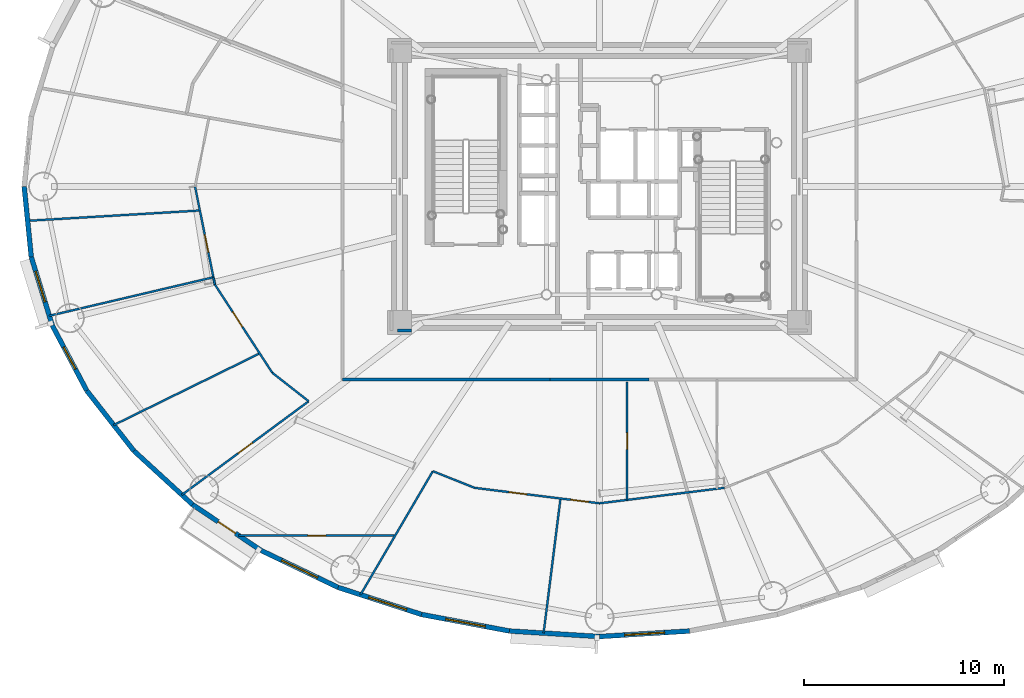
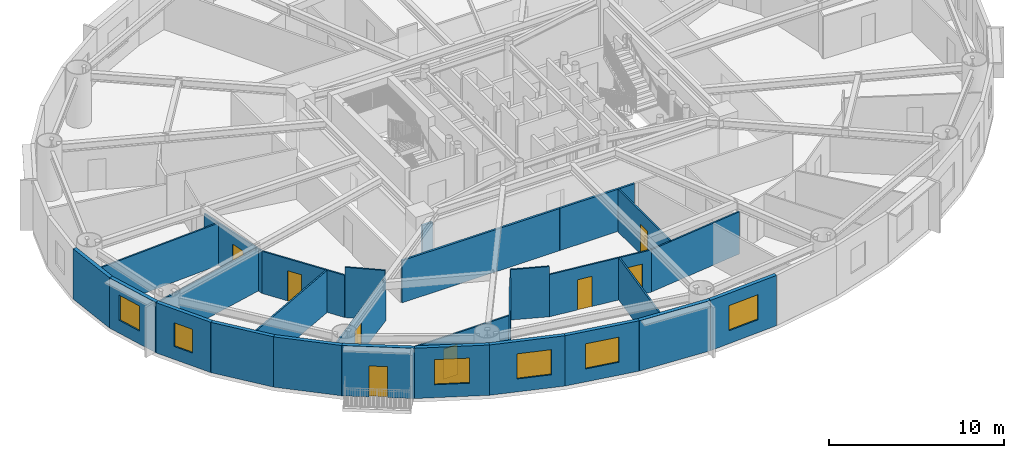
# One storey, part 11 of 22: 29 walls, 8 doors, 6 windows, 14 openings.
"""IFC4 building model written with IfcOpenShell, lengths in metres."""

from ifc_helpers import new_model, si_unit, direction, frame, frame_2d, origin, origin_2d, place, context, subcontext, project, spatial, rectangle, extrude, source, transform, mapped, material, layer, layer_set, type_object, element, fill, save


model = new_model("IFC4")

# Units and contexts
model_context = context("Model", 3, precision=1e-05, world=origin(), true_north=direction((0.0, 1.0)))
body_context = subcontext(model_context, "Body", "Model", "MODEL_VIEW")
ifc_project = project(units=[si_unit("LENGTHUNIT", "METRE"), si_unit("AREAUNIT", "SQUARE_METRE"), si_unit("VOLUMEUNIT", "CUBIC_METRE"), si_unit("PLANEANGLEUNIT", "RADIAN"), si_unit("MASSUNIT", "GRAM", prefix="KILO")], contexts=[model_context])

# Site, building, storey
site_placement = place(None, origin())
site = spatial("IfcSite", under=ifc_project, at=site_placement, CompositionType="ELEMENT")
building_placement = place(site_placement, origin())
building = spatial("IfcBuilding", under=site, at=building_placement, Name="Linh Dai School and Residence Tower", CompositionType="ELEMENT")
storey_placement = place(building_placement, frame((0.0, 0.0, 130.949951171875)))
storey = spatial("IfcBuildingStorey", under=building, at=storey_placement, Name="L31", CompositionType="ELEMENT", Elevation=130.949951171875)

# Wall
ifc_material_1 = material(Name="Precast Concrete B45 (C35/45)", Category="concrete")
ifc_layer_1 = layer(ifc_material_1, 0.239990234375)
ifc_layer_set_1 = layer_set([ifc_layer_1], Name="Precast Concrete B45 (C35/45)")
wall_type_1 = type_object("IfcWallType", Name="EW-TC-240", PredefinedType="SOLIDWALL", material=ifc_layer_set_1)
wall_1_placement = place(storey_placement, frame((7.578369140625, 23.484619140625, 0.0), z_axis=(0.0, 0.0, 1.0), x_axis=(-0.099989468229, 0.994988495533, 0.0)))
element("IfcWall", 1, at=wall_1_placement, inside=storey, type_object=wall_type_1, Name="L31 Terracotta Exterior Wall 21", PredefinedType="SOLIDWALL", context=body_context, shape_type="SweptSolid", body=[
    extrude(rectangle(XDim=3.533203125, YDim=0.239990234375, at=frame_2d((1.7666015625, 0.0))), origin(), (0.0, 0.0, 1.0), 3.5),
])

# Wall, opening, window
wall_2_placement = place(storey_placement, frame((8.6298828125, 20.054931640625, 0.0), z_axis=(0.0, 0.0, 1.0), x_axis=(-0.293124431344, 0.956074300329, 0.0)))
wall_2 = element("IfcWall", 2, at=wall_2_placement, inside=storey, type_object=wall_type_1, Name="L31 Terracotta Exterior Wall 22", PredefinedType="SOLIDWALL", context=body_context, shape_type="SweptSolid", body=[
    extrude(rectangle(XDim=3.587158203125, YDim=0.239990234375, at=frame_2d((1.79345703125, 0.0))), origin(), (0.0, 0.0, 1.0), 3.5),
])
opening_1_placement = place(wall_2_placement, frame((1.23583984375, 0.0, 0.89990234375)))
opening_1 = element("IfcOpeningElement", 3, at=opening_1_placement, cuts=wall_2, Name="Opening W2", PredefinedType="OPENING", context=body_context, shape_type="SweptSolid", body=[
    extrude(rectangle(XDim=1.60009765625, YDim=1.75, at=origin_2d()), frame((0.800048828125, 0.1298828125, 0.875), z_axis=(0.0, -1.0, 0.0), x_axis=(1.0, 0.0, 0.0)), (0.0, 0.0, 1.0), 0.260009765625),
])
ifc_material_2 = material(Name="Double Low-E Insulated Glazing", Category="glass")
window_type_1 = type_object("IfcWindowType", Name="WN-RES-1600x1750", PartitioningType="DOUBLE_PANEL_VERTICAL", PredefinedType="WINDOW", material=ifc_material_2)
shared_shape_1 = source(origin(), body_context, "Body", "SweptSolid", [
    extrude(rectangle(XDim=1.60009765625, YDim=1.75, at=origin_2d()), frame((0.800048828125, 0.030029296875, 0.875), z_axis=(0.0, -1.0, 0.0), x_axis=(1.0, 0.0, 0.0)), (0.0, 0.0, 1.0), 0.06005859375),
])
window_1_placement = place(opening_1_placement, origin())
window_1 = element("IfcWindow", 4, at=window_1_placement, inside=storey, type_object=window_type_1, Name="L31 Exterior Window 22.1", OverallHeight=1.75, OverallWidth=1.60009765625, PartitioningType="DOUBLE_PANEL_VERTICAL", PredefinedType="WINDOW", context=body_context, shape_type="MappedRepresentation", body=[
    mapped(shared_shape_1, transform((0.0, 0.0, 0.0), x_axis=(1.0, 0.0, 0.0), y_axis=(0.0, 1.0, 0.0), z_axis=(0.0, 0.0, 1.0), scale=1.0)),
])
fill(opening_1, window_1)

wall_3_placement = place(storey_placement, frame((10.354736328125, 16.79443359375, 0.0), z_axis=(0.0, 0.0, 1.0), x_axis=(-0.467614004126, 0.883932770716, 0.0)))
wall_3 = element("IfcWall", 5, at=wall_3_placement, inside=storey, type_object=wall_type_1, Name="L31 Terracotta Exterior Wall 23", PredefinedType="SOLIDWALL", context=body_context, shape_type="SweptSolid", body=[
    extrude(rectangle(XDim=3.688720703125, YDim=0.239990234375, at=frame_2d((1.84423828125, 0.0))), origin(), (0.0, 0.0, 1.0), 3.5),
])
opening_2_placement = place(wall_3_placement, frame((1.21923828125, 0.0, 0.89990234375)))
opening_2 = element("IfcOpeningElement", 6, at=opening_2_placement, cuts=wall_3, Name="Opening W3", PredefinedType="OPENING", context=body_context, shape_type="SweptSolid", body=[
    extrude(rectangle(XDim=1.25, YDim=1.64990234375, at=origin_2d()), frame((0.625, 0.1298828125, 0.824951171875), z_axis=(0.0, -1.0, 0.0), x_axis=(1.0, 0.0, 0.0)), (0.0, 0.0, 1.0), 0.260009765625),
])
window_type_2 = type_object("IfcWindowType", Name="WN-RES-1250x1650", PartitioningType="SINGLE_PANEL", PredefinedType="WINDOW", material=ifc_material_2)
shared_shape_2 = source(origin(), body_context, "Body", "SweptSolid", [
    extrude(rectangle(XDim=1.25, YDim=1.64990234375, at=origin_2d()), frame((0.625, 0.030029296875, 0.824951171875), z_axis=(0.0, -1.0, 0.0), x_axis=(1.0, 0.0, 0.0)), (0.0, 0.0, 1.0), 0.06005859375),
])
window_2_placement = place(opening_2_placement, origin())
window_2 = element("IfcWindow", 7, at=window_2_placement, inside=storey, type_object=window_type_2, Name="L31 Dwelling Window U3101-BD2", OverallHeight=1.64990234375, OverallWidth=1.25, PartitioningType="SINGLE_PANEL", PredefinedType="WINDOW", context=body_context, shape_type="MappedRepresentation", body=[
    mapped(shared_shape_2, transform((0.0, 0.0, 0.0), x_axis=(1.0, 0.0, 0.0), y_axis=(0.0, 1.0, 0.0), z_axis=(0.0, 0.0, 1.0), scale=1.0)),
])
fill(opening_2, window_2)

# Walls
wall_4_placement = place(storey_placement, frame((12.7109375, 13.783447265625, 0.0), z_axis=(0.0, 0.0, 1.0), x_axis=(-0.616272103517, 0.787533297345, 0.0)))
element("IfcWall", 8, at=wall_4_placement, inside=storey, type_object=wall_type_1, Name="L31 Terracotta Exterior Wall 24", PredefinedType="SOLIDWALL", context=body_context, shape_type="SweptSolid", body=[
    extrude(rectangle(XDim=3.8232421875, YDim=0.239990234375, at=frame_2d((1.91162109375, 0.0))), origin(), (0.0, 0.0, 1.0), 3.5),
])
wall_5_placement = place(storey_placement, frame((15.6416015625, 11.0966796875, 0.0), z_axis=(0.0, 0.0, 1.0), x_axis=(-0.737113356241, 0.675769117414, 0.0)))
element("IfcWall", 9, at=wall_5_placement, inside=storey, type_object=wall_type_1, Name="L31 Terracotta Exterior Wall 25", PredefinedType="SOLIDWALL", context=body_context, shape_type="SweptSolid", body=[
    extrude(rectangle(XDim=3.975830078125, YDim=0.239990234375, at=frame_2d((1.98779296875, 0.0))), origin(), (0.0, 0.0, 1.0), 3.5),
])

# Wall, opening, door
wall_6_placement = place(storey_placement, frame((19.07470703125, 8.800537109375, 0.0), z_axis=(0.0, 0.0, 1.0), x_axis=(-0.831221811447, 0.555940914284, 0.0)))
wall_6 = element("IfcWall", 10, at=wall_6_placement, inside=storey, type_object=wall_type_1, Name="L31 Terracotta Exterior Wall 26", PredefinedType="SOLIDWALL", context=body_context, shape_type="SweptSolid", body=[
    extrude(rectangle(XDim=4.130126953125, YDim=0.239990234375, at=frame_2d((2.06494140625, 0.0))), origin(), (0.0, 0.0, 1.0), 3.5),
])
opening_3_placement = place(wall_6_placement, frame((1.5400390625, 0.0, 0.0)))
opening_3 = element("IfcOpeningElement", 11, at=opening_3_placement, cuts=wall_6, Name="Opening BD1", PredefinedType="OPENING", context=body_context, shape_type="SweptSolid", body=[
    extrude(rectangle(XDim=1.050048828125, YDim=2.14990234375, at=origin_2d()), frame((0.52490234375, 0.1298828125, 1.074951171875), z_axis=(0.0, -1.0, 0.0), x_axis=(1.0, 0.0, 0.0)), (0.0, 0.0, 1.0), 0.260009765625),
])
ifc_material_3 = material(Name="Double-Glazed Balcony Door", Category="glass")
door_type_1 = type_object("IfcDoorType", Name="DR-BALC-1050x2150", OperationType="NOTDEFINED", PredefinedType="DOOR", material=ifc_material_3)
shared_shape_3 = source(origin(), body_context, "Body", "SweptSolid", [
    extrude(rectangle(XDim=1.050048828125, YDim=2.14990234375, at=origin_2d()), frame((0.52490234375, 0.02490234375, 1.074951171875), z_axis=(0.0, -1.0, 0.0), x_axis=(1.0, 0.0, 0.0)), (0.0, 0.0, 1.0), 0.050048828125),
])
door_1_placement = place(opening_3_placement, origin())
door_1 = element("IfcDoor", 12, at=door_1_placement, inside=storey, type_object=door_type_1, Name="L31 Glazed Balcony Door 26", OperationType="SINGLE_SWING_LEFT", OverallHeight=2.14990234375, OverallWidth=1.050048828125, PredefinedType="DOOR", context=body_context, shape_type="MappedRepresentation", body=[
    mapped(shared_shape_3, transform((0.0, 0.0, 0.0), x_axis=(1.0, 0.0, 0.0), y_axis=(0.0, 1.0, 0.0), z_axis=(0.0, 0.0, 1.0), scale=1.0)),
])
fill(opening_3, door_1)

# Wall, opening, window
wall_7_placement = place(storey_placement, frame((22.926025390625, 6.95263671875, 0.0), z_axis=(0.0, 0.0, 1.0), x_axis=(-0.901589935876, 0.432591709962, 0.0)))
wall_7 = element("IfcWall", 13, at=wall_7_placement, inside=storey, type_object=wall_type_1, Name="L31 Terracotta Exterior Wall 27", PredefinedType="SOLIDWALL", context=body_context, shape_type="SweptSolid", body=[
    extrude(rectangle(XDim=4.271728515625, YDim=0.239990234375, at=frame_2d((2.1357421875, 0.0))), origin(), (0.0, 0.0, 1.0), 3.5),
])
opening_4_placement = place(wall_7_placement, frame((1.1357421875, 0.0, 0.89990234375)))
opening_4 = element("IfcOpeningElement", 14, at=opening_4_placement, cuts=wall_7, Name="Opening W1", PredefinedType="OPENING", context=body_context, shape_type="SweptSolid", body=[
    extrude(rectangle(XDim=2.0, YDim=1.75, at=origin_2d()), frame((1.0, 0.1298828125, 0.875), z_axis=(0.0, -1.0, 0.0), x_axis=(1.0, 0.0, 0.0)), (0.0, 0.0, 1.0), 0.260009765625),
])
window_type_3 = type_object("IfcWindowType", Name="WN-RES-2000x1750", PartitioningType="DOUBLE_PANEL_VERTICAL", PredefinedType="WINDOW", material=ifc_material_2)
shared_shape_4 = source(origin(), body_context, "Body", "SweptSolid", [
    extrude(rectangle(XDim=2.0, YDim=1.75, at=origin_2d()), frame((1.0, 0.030029296875, 0.875), z_axis=(0.0, -1.0, 0.0), x_axis=(1.0, 0.0, 0.0)), (0.0, 0.0, 1.0), 0.06005859375),
])
window_3_placement = place(opening_4_placement, origin())
window_3 = element("IfcWindow", 15, at=window_3_placement, inside=storey, type_object=window_type_3, Name="L31 Exterior Window 27.1", OverallHeight=1.75, OverallWidth=2.0, PartitioningType="DOUBLE_PANEL_VERTICAL", PredefinedType="WINDOW", context=body_context, shape_type="MappedRepresentation", body=[
    mapped(shared_shape_4, transform((0.0, 0.0, 0.0), x_axis=(1.0, 0.0, 0.0), y_axis=(0.0, 1.0, 0.0), z_axis=(0.0, 0.0, 1.0), scale=1.0)),
])
fill(opening_4, window_3)

wall_8_placement = place(storey_placement, frame((27.100341796875, 5.5986328125, 0.0), z_axis=(0.0, 0.0, 1.0), x_axis=(-0.951211346073, 0.308540070495, 0.0)))
wall_8 = element("IfcWall", 16, at=wall_8_placement, inside=storey, type_object=wall_type_1, Name="L31 Terracotta Exterior Wall 28", PredefinedType="SOLIDWALL", context=body_context, shape_type="SweptSolid", body=[
    extrude(rectangle(XDim=4.388427734375, YDim=0.239990234375, at=frame_2d((2.1943359375, 0.0))), origin(), (0.0, 0.0, 1.0), 3.5),
])
opening_5_placement = place(wall_8_placement, frame((0.784912109375, 0.0, 0.89990234375)))
opening_5 = element("IfcOpeningElement", 17, at=opening_5_placement, cuts=wall_8, Name="Opening W1", PredefinedType="OPENING", context=body_context, shape_type="SweptSolid", body=[
    extrude(rectangle(XDim=2.0, YDim=1.75, at=origin_2d()), frame((1.0, 0.1298828125, 0.875), z_axis=(0.0, -1.0, 0.0), x_axis=(1.0, 0.0, 0.0)), (0.0, 0.0, 1.0), 0.260009765625),
])
window_4_placement = place(opening_5_placement, origin())
window_4 = element("IfcWindow", 18, at=window_4_placement, inside=storey, type_object=window_type_3, Name="L31 Exterior Window 28.1", OverallHeight=1.75, OverallWidth=2.0, PartitioningType="DOUBLE_PANEL_VERTICAL", PredefinedType="WINDOW", context=body_context, shape_type="MappedRepresentation", body=[
    mapped(shared_shape_4, transform((0.0, 0.0, 0.0), x_axis=(1.0, 0.0, 0.0), y_axis=(0.0, 1.0, 0.0), z_axis=(0.0, 0.0, 1.0), scale=1.0)),
])
fill(opening_5, window_4)

wall_9_placement = place(storey_placement, frame((31.494384765625, 4.772705078125, 0.0), z_axis=(0.0, 0.0, 1.0), x_axis=(-0.982789252177, 0.184730305596, 0.0)))
wall_9 = element("IfcWall", 19, at=wall_9_placement, inside=storey, type_object=wall_type_1, Name="L31 Terracotta Exterior Wall 29", PredefinedType="SOLIDWALL", context=body_context, shape_type="SweptSolid", body=[
    extrude(rectangle(XDim=4.470947265625, YDim=0.239990234375, at=frame_2d((2.2353515625, 0.0))), origin(), (0.0, 0.0, 1.0), 3.5),
])
opening_6_placement = place(wall_9_placement, frame((1.235595703125, 0.0, 0.89990234375)))
opening_6 = element("IfcOpeningElement", 20, at=opening_6_placement, cuts=wall_9, Name="Opening W1", PredefinedType="OPENING", context=body_context, shape_type="SweptSolid", body=[
    extrude(rectangle(XDim=2.0, YDim=1.75, at=origin_2d()), frame((1.0, 0.1298828125, 0.875), z_axis=(0.0, -1.0, 0.0), x_axis=(1.0, 0.0, 0.0)), (0.0, 0.0, 1.0), 0.260009765625),
])
window_5_placement = place(opening_6_placement, origin())
window_5 = element("IfcWindow", 21, at=window_5_placement, inside=storey, type_object=window_type_3, Name="L31 Exterior Window 29.1", OverallHeight=1.75, OverallWidth=2.0, PartitioningType="DOUBLE_PANEL_VERTICAL", PredefinedType="WINDOW", context=body_context, shape_type="MappedRepresentation", body=[
    mapped(shared_shape_4, transform((0.0, 0.0, 0.0), x_axis=(1.0, 0.0, 0.0), y_axis=(0.0, 1.0, 0.0), z_axis=(0.0, 0.0, 1.0), scale=1.0)),
])
fill(opening_6, window_5)

# Wall
wall_10_placement = place(storey_placement, frame((36.0, 4.4951171875, 0.0), z_axis=(0.0, 0.0, 1.0), x_axis=(-0.998107531589, 0.061492726276, 0.0)))
element("IfcWall", 22, at=wall_10_placement, inside=storey, type_object=wall_type_1, Name="L31 Terracotta Exterior Wall 30", PredefinedType="SOLIDWALL", context=body_context, shape_type="SweptSolid", body=[
    extrude(rectangle(XDim=4.51416015625, YDim=0.239990234375, at=frame_2d((2.257080078125, 0.0))), origin(), (0.0, 0.0, 1.0), 3.5),
])

# Wall, opening, window
wall_11_placement = place(storey_placement, frame((40.505615234375, 4.772705078125, 0.0), z_axis=(0.0, 0.0, 1.0), x_axis=(-0.998107531589, -0.061492726276, 0.0)))
wall_11 = element("IfcWall", 23, at=wall_11_placement, inside=storey, type_object=wall_type_1, Name="L31 Terracotta Exterior Wall 31", PredefinedType="SOLIDWALL", context=body_context, shape_type="SweptSolid", body=[
    extrude(rectangle(XDim=4.51416015625, YDim=0.239990234375, at=frame_2d((2.257080078125, 0.0))), origin(), (0.0, 0.0, 1.0), 3.5),
])
opening_7_placement = place(wall_11_placement, frame((1.257080078125, 0.0, 0.89990234375)))
opening_7 = element("IfcOpeningElement", 24, at=opening_7_placement, cuts=wall_11, Name="Opening W1", PredefinedType="OPENING", context=body_context, shape_type="SweptSolid", body=[
    extrude(rectangle(XDim=2.0, YDim=1.75, at=origin_2d()), frame((1.0, 0.1298828125, 0.875), z_axis=(0.0, -1.0, 0.0), x_axis=(1.0, 0.0, 0.0)), (0.0, 0.0, 1.0), 0.260009765625),
])
window_6_placement = place(opening_7_placement, origin())
window_6 = element("IfcWindow", 25, at=window_6_placement, inside=storey, type_object=window_type_3, Name="L31 Exterior Window 31.1", OverallHeight=1.75, OverallWidth=2.0, PartitioningType="DOUBLE_PANEL_VERTICAL", PredefinedType="WINDOW", context=body_context, shape_type="MappedRepresentation", body=[
    mapped(shared_shape_4, transform((0.0, 0.0, 0.0), x_axis=(1.0, 0.0, 0.0), y_axis=(0.0, 1.0, 0.0), z_axis=(0.0, 0.0, 1.0), scale=1.0)),
])
fill(opening_7, window_6)

# Walls
ifc_material_4 = material(Name="Autoclaved Aerated Concrete Blockwork", Category="masonry")
ifc_layer_2 = layer(ifc_material_4, 0.135009765625)
ifc_layer_set_2 = layer_set([ifc_layer_2], Name="Autoclaved Aerated Concrete Blockwork")
wall_type_2 = type_object("IfcWallType", Name="IW-CORR-135-EI90", PredefinedType="PARTITIONING", material=ifc_layer_set_2)
wall_12_placement = place(storey_placement, frame((23.14990234375, 17.35009765625, 0.0), z_axis=(0.0, 0.0, 1.0), x_axis=(1.0, 0.0, 0.0)))
element("IfcWall", 26, at=wall_12_placement, inside=storey, type_object=wall_type_2, Name="L31 Interior Partition Wall 018", PredefinedType="PARTITIONING", context=body_context, shape_type="SweptSolid", body=[
    extrude(rectangle(XDim=10.373046875, YDim=0.135009765625, at=frame_2d((5.1865234375, 0.0))), origin(), (0.0, 0.0, 1.0), 2.93505859375),
])
wall_13_placement = place(storey_placement, frame((38.467041015625, 17.35009765625, 0.0), z_axis=(0.0, 0.0, 1.0), x_axis=(-1.0, 0.0, 0.0)))
element("IfcWall", 27, at=wall_13_placement, inside=storey, type_object=wall_type_2, Name="L31 Interior Partition Wall 104", PredefinedType="PARTITIONING", context=body_context, shape_type="SweptSolid", body=[
    extrude(rectangle(XDim=4.93408203125, YDim=0.135009765625, at=frame_2d((2.467041015625, 0.0))), origin(), (0.0, 0.0, 1.0), 2.93505859375),
])
wall_14_placement = place(storey_placement, frame((25.907470703125, 19.800048828125, 0.0), z_axis=(0.0, 0.0, 1.0), x_axis=(1.0, 0.0, 0.0)))
element("IfcWall", 28, at=wall_14_placement, inside=storey, type_object=wall_type_2, Name="L31 Interior Partition Wall 109", PredefinedType="PARTITIONING", context=body_context, shape_type="SweptSolid", body=[
    extrude(rectangle(XDim=0.6826171875, YDim=0.135009765625, at=frame_2d((0.34130859375, 0.0))), origin(), (0.0, 0.0, 1.0), 2.93505859375),
])
ifc_material_5 = material(Name="Gypsum Plasterboard Acoustic Stud Partition", Category="masonry")
ifc_layer_3 = layer(ifc_material_5, 0.10009765625)
ifc_layer_set_3 = layer_set([ifc_layer_3], Name="Gypsum Plasterboard Acoustic Stud Partition")
wall_type_3 = type_object("IfcWallType", Name="IW-UNIT-100", PredefinedType="PARTITIONING", material=ifc_layer_set_3)
wall_15_placement = place(storey_placement, frame((7.39208984375, 25.287353515625, 0.0), z_axis=(0.0, 0.0, 1.0), x_axis=(0.998212308635, 0.059767774675, 0.0)))
element("IfcWall", 29, at=wall_15_placement, inside=storey, type_object=wall_type_3, Name="L31 Interior Partition Wall 001", PredefinedType="PARTITIONING", context=body_context, shape_type="SweptSolid", body=[
    extrude(rectangle(XDim=8.63525390625, YDim=0.10009765625, at=frame_2d((4.317626953125, 0.0))), origin(), (0.0, 0.0, 1.0), 2.93505859375),
])
wall_16_placement = place(storey_placement, frame((8.47705078125, 20.536376953125, 0.0), z_axis=(0.0, 0.0, 1.0), x_axis=(0.973513511356, 0.228629488929, 0.0)))
element("IfcWall", 30, at=wall_16_placement, inside=storey, type_object=wall_type_3, Name="L31 Interior Partition Wall 003", PredefinedType="PARTITIONING", context=body_context, shape_type="SweptSolid", body=[
    extrude(rectangle(XDim=8.433837890625, YDim=0.10009765625, at=frame_2d((4.216796875, 0.0))), origin(), (0.0, 0.0, 1.0), 2.985107421875),
])
wall_17_placement = place(storey_placement, frame((11.697998046875, 15.06982421875, 0.0), z_axis=(0.0, 0.0, 1.0), x_axis=(0.89766113801, 0.440686375222, 0.0)))
element("IfcWall", 31, at=wall_17_placement, inside=storey, type_object=wall_type_3, Name="L31 Interior Partition Wall 005", PredefinedType="PARTITIONING", context=body_context, shape_type="SweptSolid", body=[
    extrude(rectangle(XDim=8.138916015625, YDim=0.10009765625, at=frame_2d((4.0693359375, 0.0))), origin(), (0.0, 0.0, 1.0), 2.93505859375),
])

# Wall, opening, door
wall_18_placement = place(storey_placement, frame((15.108154296875, 11.5791015625, 0.0), z_axis=(0.0, 0.0, 1.0), x_axis=(0.804563867784, 0.593866131932, 0.0)))
wall_18 = element("IfcWall", 32, at=wall_18_placement, inside=storey, type_object=wall_type_3, Name="L31 Interior Partition Wall 006", PredefinedType="PARTITIONING", context=body_context, shape_type="SweptSolid", body=[
    extrude(rectangle(XDim=7.887451171875, YDim=0.10009765625, at=frame_2d((3.94384765625, 0.0))), origin(), (0.0, 0.0, 1.0), 2.93505859375),
])
opening_8_placement = place(wall_18_placement, frame((3.493896484375, 0.0, 0.0)))
opening_8 = element("IfcOpeningElement", 33, at=opening_8_placement, cuts=wall_18, Name="Opening D05", PredefinedType="OPENING", context=body_context, shape_type="SweptSolid", body=[
    extrude(rectangle(XDim=0.89990234375, YDim=2.10009765625, at=origin_2d()), frame((0.449951171875, 0.06005859375, 1.050048828125), z_axis=(0.0, -1.0, 0.0), x_axis=(1.0, 0.0, 0.0)), (0.0, 0.0, 1.0), 0.1201171875),
])
ifc_material_6 = material(Name="Engineered Timber Internal Door", Category="wood")
door_type_2 = type_object("IfcDoorType", Name="DR-INT-900x2100", OperationType="NOTDEFINED", PredefinedType="DOOR", material=ifc_material_6)
shared_shape_5 = source(origin(), body_context, "Body", "SweptSolid", [
    extrude(rectangle(XDim=0.89990234375, YDim=2.10009765625, at=origin_2d()), frame((0.449951171875, 0.02490234375, 1.050048828125), z_axis=(0.0, -1.0, 0.0), x_axis=(1.0, 0.0, 0.0)), (0.0, 0.0, 1.0), 0.050048828125),
])
door_2_placement = place(opening_8_placement, origin())
door_2 = element("IfcDoor", 34, at=door_2_placement, inside=storey, type_object=door_type_2, Name="L31 Apartment U3101 Study Door", OperationType="SINGLE_SWING_LEFT", OverallHeight=2.10009765625, OverallWidth=0.89990234375, PredefinedType="DOOR", context=body_context, shape_type="MappedRepresentation", body=[
    mapped(shared_shape_5, transform((0.0, 0.0, 0.0), x_axis=(1.0, 0.0, 0.0), y_axis=(0.0, 1.0, 0.0), z_axis=(0.0, 0.0, 1.0), scale=1.0)),
])
fill(opening_8, door_2)

wall_19_placement = place(storey_placement, frame((15.77001953125, 27.0, 0.0), z_axis=(0.0, 0.0, 1.0), x_axis=(0.198266588366, -0.98014813163, 0.0)))
wall_19 = element("IfcWall", 35, at=wall_19_placement, inside=storey, type_object=wall_type_3, Name="L31 Interior Partition Wall 011", PredefinedType="PARTITIONING", context=body_context, shape_type="SweptSolid", body=[
    extrude(rectangle(XDim=4.62744140625, YDim=0.10009765625, at=frame_2d((2.313720703125, 0.0))), origin(), (0.0, 0.0, 1.0), 2.93505859375),
])
opening_9_placement = place(wall_19_placement, frame((2.4541015625, 0.0, 0.0)))
opening_9 = element("IfcOpeningElement", 36, at=opening_9_placement, cuts=wall_19, Name="Opening D05", PredefinedType="OPENING", context=body_context, shape_type="SweptSolid", body=[
    extrude(rectangle(XDim=0.89990234375, YDim=2.10009765625, at=origin_2d()), frame((0.449951171875, 0.06005859375, 1.050048828125), z_axis=(0.0, -1.0, 0.0), x_axis=(1.0, 0.0, 0.0)), (0.0, 0.0, 1.0), 0.1201171875),
])
door_3_placement = place(opening_9_placement, origin())
door_3 = element("IfcDoor", 37, at=door_3_placement, inside=storey, type_object=door_type_2, Name="L31 Apartment U3101 Study Door", OperationType="SINGLE_SWING_LEFT", OverallHeight=2.10009765625, OverallWidth=0.89990234375, PredefinedType="DOOR", context=body_context, shape_type="MappedRepresentation", body=[
    mapped(shared_shape_5, transform((0.0, 0.0, 0.0), x_axis=(1.0, 0.0, 0.0), y_axis=(0.0, 1.0, 0.0), z_axis=(0.0, 0.0, 1.0), scale=1.0)),
])
fill(opening_9, door_3)

# Wall
wall_20_placement = place(storey_placement, frame((16.689453125, 22.45458984375, 0.0), z_axis=(0.0, 0.0, 1.0), x_axis=(0.197827143955, -0.98023692091, 0.0)))
element("IfcWall", 38, at=wall_20_placement, inside=storey, type_object=wall_type_3, Name="L31 Interior Partition Wall 013", PredefinedType="PARTITIONING", context=body_context, shape_type="SweptSolid", body=[
    extrude(rectangle(XDim=0.356689453125, YDim=0.10009765625, at=frame_2d((0.17822265625, 0.0))), origin(), (0.0, 0.0, 1.0), 2.93505859375),
])

# Wall, opening, door
wall_21_placement = place(storey_placement, frame((16.760009765625, 22.10498046875, 0.0), z_axis=(0.0, 0.0, 1.0), x_axis=(0.545405249109, -0.838172484781, 0.0)))
wall_21 = element("IfcWall", 39, at=wall_21_placement, inside=storey, type_object=wall_type_3, Name="L31 Interior Partition Wall 014", PredefinedType="PARTITIONING", context=body_context, shape_type="SweptSolid", body=[
    extrude(rectangle(XDim=5.2685546875, YDim=0.10009765625, at=frame_2d((2.63427734375, 0.0))), origin(), (0.0, 0.0, 1.0), 2.93505859375),
])
opening_10_placement = place(wall_21_placement, frame((1.627197265625, 0.0, 0.0)))
opening_10 = element("IfcOpeningElement", 40, at=opening_10_placement, cuts=wall_21, Name="Opening D05", PredefinedType="OPENING", context=body_context, shape_type="SweptSolid", body=[
    extrude(rectangle(XDim=0.89990234375, YDim=2.10009765625, at=origin_2d()), frame((0.449951171875, 0.06005859375, 1.050048828125), z_axis=(0.0, -1.0, 0.0), x_axis=(1.0, 0.0, 0.0)), (0.0, 0.0, 1.0), 0.1201171875),
])
door_4_placement = place(opening_10_placement, origin())
door_4 = element("IfcDoor", 41, at=door_4_placement, inside=storey, type_object=door_type_2, Name="L31 Apartment U3101 Principal Bedroom 2 Door", OperationType="SINGLE_SWING_RIGHT", OverallHeight=2.10009765625, OverallWidth=0.89990234375, PredefinedType="DOOR", context=body_context, shape_type="MappedRepresentation", body=[
    mapped(shared_shape_5, transform((0.0, 0.0, 0.0), x_axis=(1.0, 0.0, 0.0), y_axis=(0.0, 1.0, 0.0), z_axis=(0.0, 0.0, 1.0), scale=1.0)),
])
fill(opening_10, door_4)

wall_22_placement = place(storey_placement, frame((17.94775390625, 9.54833984375, 0.0), z_axis=(0.0, 0.0, 1.0), x_axis=(1.0, 0.0, 0.0)))
wall_22 = element("IfcWall", 42, at=wall_22_placement, inside=storey, type_object=wall_type_3, Name="L31 Interior Partition Wall 015", PredefinedType="PARTITIONING", context=body_context, shape_type="SweptSolid", body=[
    extrude(rectangle(XDim=7.833251953125, YDim=0.10009765625, at=frame_2d((3.91650390625, 0.0))), origin(), (0.0, 0.0, 1.0), 2.93505859375),
])
opening_11_placement = place(wall_22_placement, frame((3.466552734375, 0.0, 0.0)))
opening_11 = element("IfcOpeningElement", 43, at=opening_11_placement, cuts=wall_22, Name="Opening D05", PredefinedType="OPENING", context=body_context, shape_type="SweptSolid", body=[
    extrude(rectangle(XDim=0.89990234375, YDim=2.10009765625, at=origin_2d()), frame((0.449951171875, 0.06005859375, 1.050048828125), z_axis=(0.0, -1.0, 0.0), x_axis=(1.0, 0.0, 0.0)), (0.0, 0.0, 1.0), 0.1201171875),
])
door_5_placement = place(opening_11_placement, origin())
door_5 = element("IfcDoor", 44, at=door_5_placement, inside=storey, type_object=door_type_2, Name="L31 Apartment U3101 Kitchen Door", OperationType="SINGLE_SWING_LEFT", OverallHeight=2.10009765625, OverallWidth=0.89990234375, PredefinedType="DOOR", context=body_context, shape_type="MappedRepresentation", body=[
    mapped(shared_shape_5, transform((0.0, 0.0, 0.0), x_axis=(1.0, 0.0, 0.0), y_axis=(0.0, 1.0, 0.0), z_axis=(0.0, 0.0, 1.0), scale=1.0)),
])
fill(opening_11, door_5)

# Walls
wall_23_placement = place(storey_placement, frame((19.633544921875, 17.68896484375, 0.0), z_axis=(0.0, 0.0, 1.0), x_axis=(0.787295532256, -0.616575822499, 0.0)))
element("IfcWall", 45, at=wall_23_placement, inside=storey, type_object=wall_type_3, Name="L31 Interior Partition Wall 016", PredefinedType="PARTITIONING", context=body_context, shape_type="SweptSolid", body=[
    extrude(rectangle(XDim=2.3125, YDim=0.10009765625, at=frame_2d((1.15625, 0.0))), origin(), (0.0, 0.0, 1.0), 3.5),
])
wall_24_placement = place(storey_placement, frame((24.04541015625, 6.584228515625, 0.0), z_axis=(0.0, 0.0, 1.0), x_axis=(0.505283833512, 0.862953212863, 0.0)))
element("IfcWall", 46, at=wall_24_placement, inside=storey, type_object=wall_type_3, Name="L31 Interior Partition Wall 020", PredefinedType="PARTITIONING", context=body_context, shape_type="SweptSolid", body=[
    extrude(rectangle(XDim=7.1630859375, YDim=0.10009765625, at=frame_2d((3.58154296875, 0.0))), origin(), (0.0, 0.0, 1.0), 2.93505859375),
])
wall_25_placement = place(storey_placement, frame((27.664794921875, 12.765625, 0.0), z_axis=(0.0, 0.0, 1.0), x_axis=(0.928814037075, -0.370546197568, 0.0)))
element("IfcWall", 47, at=wall_25_placement, inside=storey, type_object=wall_type_3, Name="L31 Interior Partition Wall 023", PredefinedType="PARTITIONING", context=body_context, shape_type="SweptSolid", body=[
    extrude(rectangle(XDim=2.243408203125, YDim=0.10009765625, at=frame_2d((1.12158203125, 0.0))), origin(), (0.0, 0.0, 1.0), 3.5),
])

# Wall, openings, doors
wall_26_placement = place(storey_placement, frame((29.74853515625, 11.934326171875, 0.0), z_axis=(0.0, 0.0, 1.0), x_axis=(0.992395485088, -0.123090215599, 0.0)))
wall_26 = element("IfcWall", 48, at=wall_26_placement, inside=storey, type_object=wall_type_3, Name="L31 Interior Partition Wall 025", PredefinedType="PARTITIONING", context=body_context, shape_type="SweptSolid", body=[
    extrude(rectangle(XDim=6.29931640625, YDim=0.10009765625, at=frame_2d((3.149658203125, 0.0))), origin(), (0.0, 0.0, 1.0), 2.93505859375),
])
opening_12_placement = place(wall_26_placement, frame((1.73583984375, 0.0, 0.0)))
opening_12 = element("IfcOpeningElement", 49, at=opening_12_placement, cuts=wall_26, Name="Opening D05", PredefinedType="OPENING", context=body_context, shape_type="SweptSolid", body=[
    extrude(rectangle(XDim=0.89990234375, YDim=2.10009765625, at=origin_2d()), frame((0.449951171875, 0.06005859375, 1.050048828125), z_axis=(0.0, -1.0, 0.0), x_axis=(1.0, 0.0, 0.0)), (0.0, 0.0, 1.0), 0.1201171875),
])
opening_13_placement = place(wall_26_placement, frame((4.845458984375, 0.0, 0.0)))
opening_13 = element("IfcOpeningElement", 50, at=opening_13_placement, cuts=wall_26, Name="Opening D05", PredefinedType="OPENING", context=body_context, shape_type="SweptSolid", body=[
    extrude(rectangle(XDim=0.89990234375, YDim=2.10009765625, at=origin_2d()), frame((0.449951171875, 0.06005859375, 1.050048828125), z_axis=(0.0, -1.0, 0.0), x_axis=(1.0, 0.0, 0.0)), (0.0, 0.0, 1.0), 0.1201171875),
])
door_6_placement = place(opening_12_placement, origin())
door_6 = element("IfcDoor", 51, at=door_6_placement, inside=storey, type_object=door_type_2, Name="L31 Apartment U3101 Principal Bedroom 3 Door", OperationType="SINGLE_SWING_RIGHT", OverallHeight=2.10009765625, OverallWidth=0.89990234375, PredefinedType="DOOR", context=body_context, shape_type="MappedRepresentation", body=[
    mapped(shared_shape_5, transform((0.0, 0.0, 0.0), x_axis=(1.0, 0.0, 0.0), y_axis=(0.0, 1.0, 0.0), z_axis=(0.0, 0.0, 1.0), scale=1.0)),
])
fill(opening_12, door_6)
door_7_placement = place(opening_13_placement, origin())
door_7 = element("IfcDoor", 52, at=door_7_placement, inside=storey, type_object=door_type_2, Name="L31 Apartment U3101 Principal Bedroom 4 Door", OperationType="SINGLE_SWING_LEFT", OverallHeight=2.10009765625, OverallWidth=0.89990234375, PredefinedType="DOOR", context=body_context, shape_type="MappedRepresentation", body=[
    mapped(shared_shape_5, transform((0.0, 0.0, 0.0), x_axis=(1.0, 0.0, 0.0), y_axis=(0.0, 1.0, 0.0), z_axis=(0.0, 0.0, 1.0), scale=1.0)),
])
fill(opening_13, door_7)

# Walls
wall_27_placement = place(storey_placement, frame((33.20361328125, 4.662353515625, 0.0), z_axis=(0.0, 0.0, 1.0), x_axis=(0.124202862254, 0.992256846289, 0.0)))
element("IfcWall", 53, at=wall_27_placement, inside=storey, type_object=wall_type_3, Name="L31 Interior Partition Wall 035", PredefinedType="PARTITIONING", context=body_context, shape_type="SweptSolid", body=[
    extrude(rectangle(XDim=6.791259765625, YDim=0.10009765625, at=frame_2d((3.3955078125, 0.0))), origin(), (0.0, 0.0, 1.0), 2.93505859375),
])
wall_28_placement = place(storey_placement, frame((36.0, 11.158935546875, 0.0), z_axis=(0.0, 0.0, 1.0), x_axis=(0.992395485088, 0.123090215599, 0.0)))
element("IfcWall", 54, at=wall_28_placement, inside=storey, type_object=wall_type_3, Name="L31 Interior Partition Wall 052", PredefinedType="PARTITIONING", context=body_context, shape_type="SweptSolid", body=[
    extrude(rectangle(XDim=6.29931640625, YDim=0.10009765625, at=frame_2d((3.149658203125, 0.0))), origin(), (0.0, 0.0, 1.0), 2.93505859375),
])

# Wall, opening, door
wall_29_placement = place(storey_placement, frame((37.385498046875, 11.330810546875, 0.0), z_axis=(0.0, 0.0, 1.0), x_axis=(0.0, 1.0, 0.0)))
wall_29 = element("IfcWall", 55, at=wall_29_placement, inside=storey, type_object=wall_type_3, Name="L31 Interior Partition Wall 055", PredefinedType="PARTITIONING", context=body_context, shape_type="SweptSolid", body=[
    extrude(rectangle(XDim=5.8837890625, YDim=0.10009765625, at=frame_2d((2.94189453125, 0.0))), origin(), (0.0, 0.0, 1.0), 2.985107421875),
])
opening_14_placement = place(wall_29_placement, frame((2.531982421875, 0.0, 0.0)))
opening_14 = element("IfcOpeningElement", 56, at=opening_14_placement, cuts=wall_29, Name="Opening D06", PredefinedType="OPENING", context=body_context, shape_type="SweptSolid", body=[
    extrude(rectangle(XDim=0.820068359375, YDim=2.10009765625, at=origin_2d()), frame((0.41015625, 0.06005859375, 1.050048828125), z_axis=(0.0, -1.0, 0.0), x_axis=(1.0, 0.0, 0.0)), (0.0, 0.0, 1.0), 0.1201171875),
])
ifc_material_7 = material(Name="Moisture-Resistant Timber Bathroom Door", Category="wood")
door_type_3 = type_object("IfcDoorType", Name="DR-WET-820x2100", OperationType="NOTDEFINED", PredefinedType="DOOR", material=ifc_material_7)
shared_shape_6 = source(origin(), body_context, "Body", "SweptSolid", [
    extrude(rectangle(XDim=0.820068359375, YDim=2.10009765625, at=origin_2d()), frame((0.41015625, 0.02490234375, 1.050048828125), z_axis=(0.0, -1.0, 0.0), x_axis=(1.0, 0.0, 0.0)), (0.0, 0.0, 1.0), 0.050048828125),
])
door_8_placement = place(opening_14_placement, origin())
door_8 = element("IfcDoor", 57, at=door_8_placement, inside=storey, type_object=door_type_3, Name="L31 Apartment U3101 Bathroom 1 Door", OperationType="SINGLE_SWING_RIGHT", OverallHeight=2.10009765625, OverallWidth=0.820068359375, PredefinedType="DOOR", context=body_context, shape_type="MappedRepresentation", body=[
    mapped(shared_shape_6, transform((0.0, 0.0, 0.0), x_axis=(1.0, 0.0, 0.0), y_axis=(0.0, 1.0, 0.0), z_axis=(0.0, 0.0, 1.0), scale=1.0)),
])
fill(opening_14, door_8)

save(model, "model.ifc")
